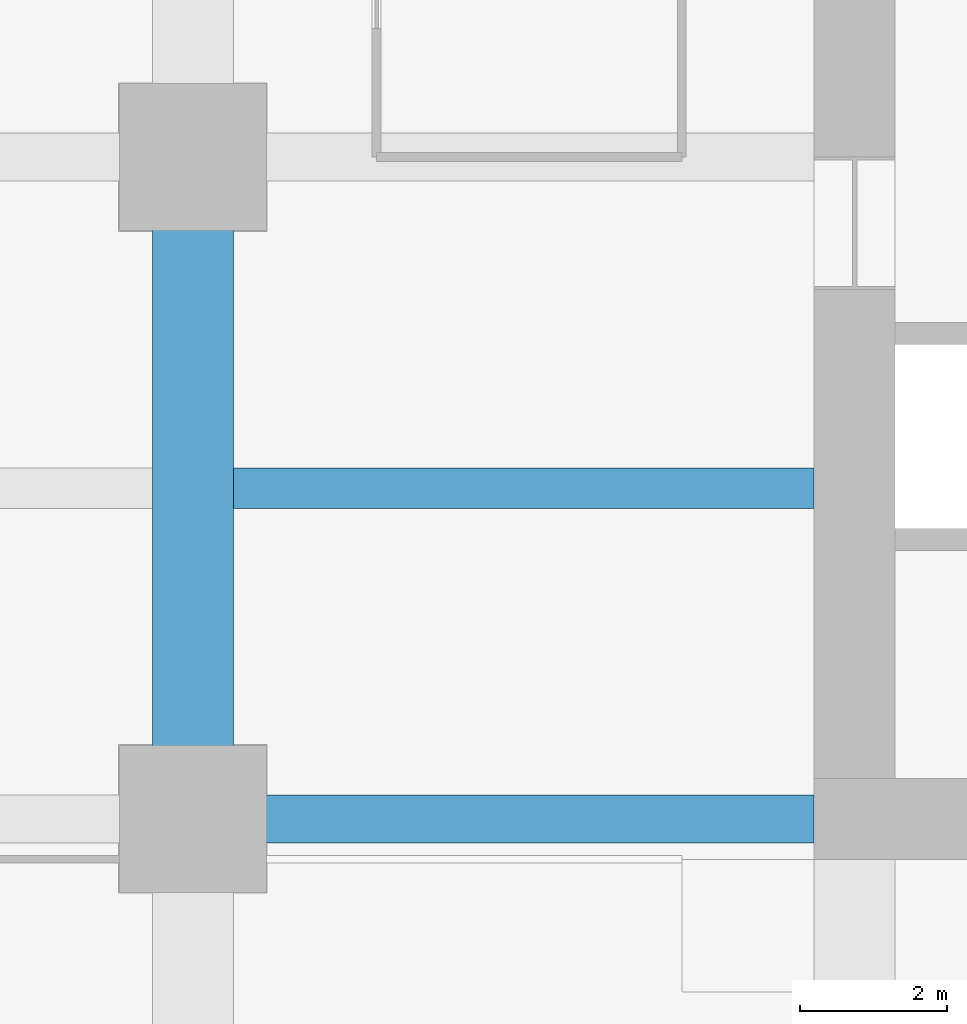
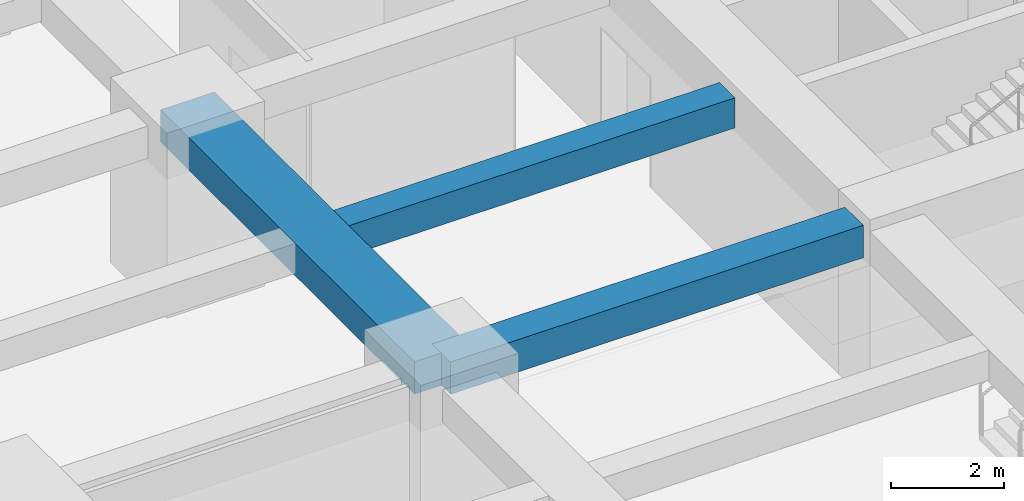
# One storey, part 10 of 39: 3 beams.
"""IFC4 building model written with IfcOpenShell, lengths in metres."""

from ifc_helpers import new_model, si_unit, direction, frame, origin, origin_2d, place, context, subcontext, project, spatial, rectangle, extrude, material, material_profile, profile_set, type_object, element, save


model = new_model("IFC4")

# Units and contexts
model_context = context("Model", 3, precision=1e-05, world=origin(), true_north=direction((0.0, 1.0)))
body_context = subcontext(model_context, "Body", "Model", "MODEL_VIEW")
ifc_project = project(units=[si_unit("LENGTHUNIT", "METRE"), si_unit("AREAUNIT", "SQUARE_METRE"), si_unit("VOLUMEUNIT", "CUBIC_METRE"), si_unit("PLANEANGLEUNIT", "RADIAN"), si_unit("MASSUNIT", "GRAM", prefix="KILO")], contexts=[model_context])

# Site, building, storey
site_placement = place(None, origin())
site = spatial("IfcSite", under=ifc_project, at=site_placement, CompositionType="ELEMENT")
building_placement = place(site_placement, origin())
building = spatial("IfcBuilding", under=site, at=building_placement, Name="Zorevar Civic Tower", CompositionType="ELEMENT")
storey_placement = place(building_placement, frame((0.0, 0.0, 117.0)))
storey = spatial("IfcBuildingStorey", under=building, at=storey_placement, Name="L28", CompositionType="ELEMENT", Elevation=117.0)

# Beams
ifc_material_1 = material(Name="Concrete C50/60", Category="concrete")
ifc_material_profile_1 = material_profile(ifc_material_1, rectangle(XDim=1.10009765625, YDim=0.699951171875, at=origin_2d()), Name="RC 1100x700")
ifc_profile_set_1 = profile_set([ifc_material_profile_1], Name="Concrete C50/60")
beam_type_1 = type_object("IfcBeamType", Name="Beam RC 1100x700", PredefinedType="BEAM", material=ifc_profile_set_1)
beam_1_placement = place(storey_placement, frame((9.0, 18.0, 3.39990234375), z_axis=(0.0, 1.0, 0.0), x_axis=(-1.0, 0.0, 0.0)))
element("IfcBeam", 1, at=beam_1_placement, inside=storey, type_object=beam_type_1, Name="Girder L29", PredefinedType="BEAM", context=body_context, shape_type="SweptSolid", body=[
    extrude(rectangle(XDim=1.10009765625, YDim=0.699951171875, at=origin_2d()), origin(), (0.0, 0.0, 1.0), 9.0),
])
ifc_material_2 = material(Name="Concrete C50/60", Category="concrete")
ifc_material_profile_2 = material_profile(ifc_material_2, rectangle(XDim=0.550048828125, YDim=0.64990234375, at=origin_2d()), Name="RC 550x650")
ifc_profile_set_2 = profile_set([ifc_material_profile_2], Name="Concrete C50/60")
beam_type_2 = type_object("IfcBeamType", Name="Beam RC 550x650", PredefinedType="BEAM", material=ifc_profile_set_2)
beam_2_placement = place(storey_placement, frame((9.550048828125, 22.5, 3.425048828125), z_axis=(1.0, 0.0, 0.0), x_axis=(0.0, 1.0, 0.0)))
element("IfcBeam", 2, at=beam_2_placement, inside=storey, type_object=beam_type_2, Name="Secondary beam L29", PredefinedType="BEAM", context=body_context, shape_type="SweptSolid", body=[
    extrude(rectangle(XDim=0.550048828125, YDim=0.64990234375, at=origin_2d()), origin(), (0.0, 0.0, 1.0), 7.89990234375),
])
ifc_material_3 = material(Name="Concrete C50/60", Category="concrete")
ifc_material_profile_3 = material_profile(ifc_material_3, rectangle(XDim=0.64990234375, YDim=0.699951171875, at=origin_2d()), Name="RC 650x700")
ifc_profile_set_3 = profile_set([ifc_material_profile_3], Name="Concrete C50/60")
beam_type_3 = type_object("IfcBeamType", Name="Beam RC 650x700", PredefinedType="BEAM", material=ifc_profile_set_3)
beam_3_placement = place(storey_placement, frame((9.0, 18.0, 3.39990234375), z_axis=(1.0, 0.0, 0.0), x_axis=(0.0, 1.0, 0.0)))
element("IfcBeam", 3, at=beam_3_placement, inside=storey, type_object=beam_type_3, Name="Girder L29", PredefinedType="BEAM", context=body_context, shape_type="SweptSolid", body=[
    extrude(rectangle(XDim=0.64990234375, YDim=0.699951171875, at=origin_2d()), origin(), (0.0, 0.0, 1.0), 8.449951171875),
])

save(model, "model.ifc")
